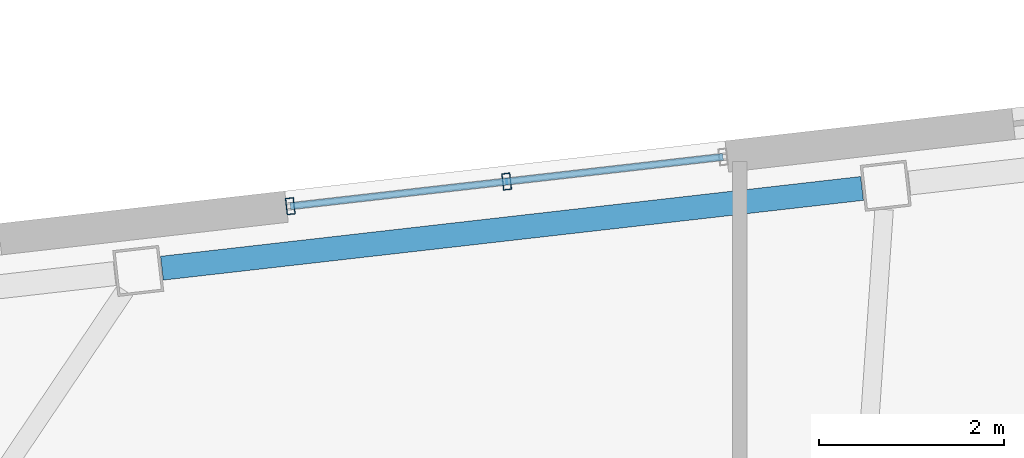
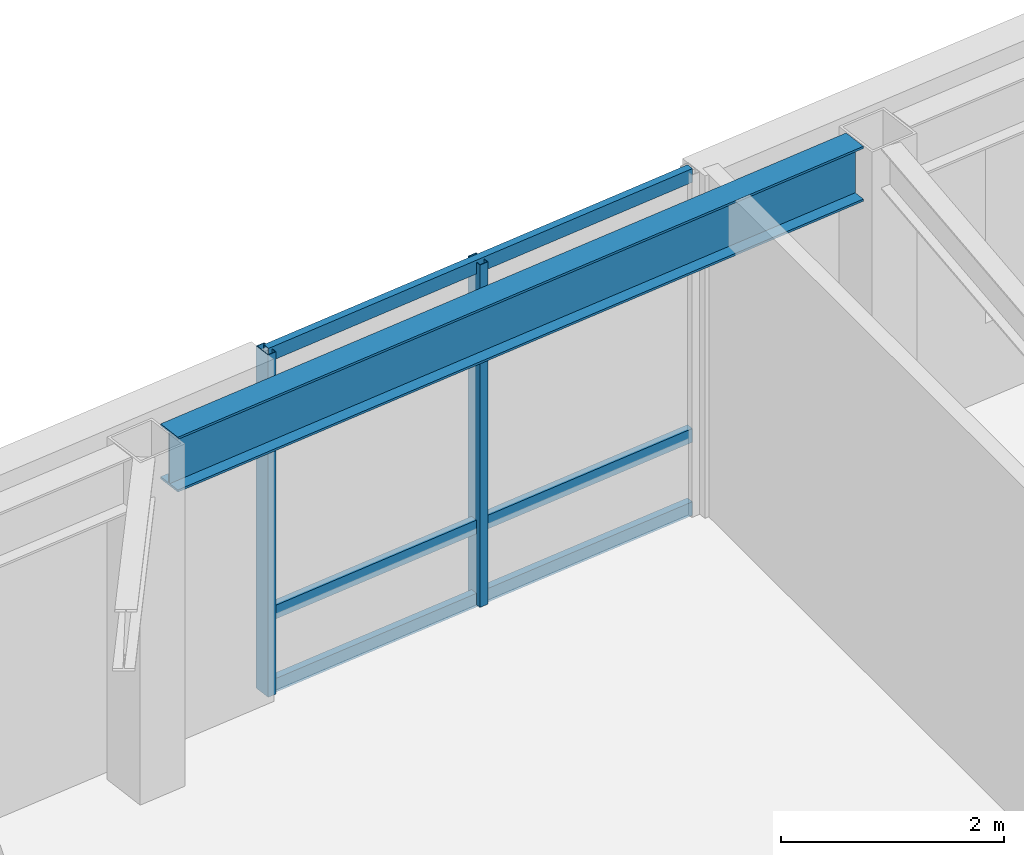
# One storey, part 10 of 21: 5 members, 1 beam, 1 element without a shape of its own.
"""IFC4 building model written with IfcOpenShell, lengths in metres."""

from ifc_helpers import new_model, si_unit, direction, frame, origin, origin_2d, place, context, subcontext, project, spatial, hollow_rectangle, i_section, extrude, material, layer, layer_set, material_profile, profile_set, type_object, element, aggregate, save


model = new_model("IFC4")

# Units and contexts
model_context = context("Model", 3, precision=1e-05, world=origin(), true_north=direction((0.0, 1.0)))
body_context = subcontext(model_context, "Body", "Model", "MODEL_VIEW")
ifc_project = project(units=[si_unit("LENGTHUNIT", "METRE"), si_unit("AREAUNIT", "SQUARE_METRE"), si_unit("VOLUMEUNIT", "CUBIC_METRE"), si_unit("PLANEANGLEUNIT", "RADIAN"), si_unit("MASSUNIT", "GRAM", prefix="KILO")], contexts=[model_context])

# Site, building, storey
site_placement = place(None, origin())
site = spatial("IfcSite", under=ifc_project, at=site_placement, CompositionType="ELEMENT")
building_placement = place(site_placement, origin())
building = spatial("IfcBuilding", under=site, at=building_placement, Name="Tavrogorsk Clinical Tower", CompositionType="ELEMENT")
storey_placement = place(building_placement, frame((0.0, 0.0, 247.0)))
storey = spatial("IfcBuildingStorey", under=building, at=storey_placement, Name="L57", CompositionType="ELEMENT", Elevation=247.0)

# Curtain wall, members
ifc_material_1 = material(Name="Anodised aluminium and triple IGU glazing", Category="aluminium")
ifc_layer = layer(ifc_material_1, 0.179931640625)
ifc_layer_set = layer_set([ifc_layer], Name="Anodised aluminium and triple IGU glazing")
curtain_wall_type = type_object("IfcCurtainWallType", Name="CW2_NorthSlot", PredefinedType="NOTDEFINED", material=ifc_layer_set)
curtain_wall_placement = place(storey_placement, origin())
curtain_wall = element("IfcCurtainWall", 1, at=curtain_wall_placement, inside=storey, type_object=curtain_wall_type, Name="L57 Curtain Wall CW-L57-N-SLOT-1", PredefinedType="NOTDEFINED")
ifc_material_2 = material(Name="Anodised aluminium alloy AW-6060", Category="aluminium")
ifc_material_profile_1 = material_profile(ifc_material_2, hollow_rectangle(XDim=0.090087890625, YDim=0.179931640625, WallThickness=0.00634765625, at=origin_2d()), Name="RHS-180x90x6.3")
ifc_profile_set_1 = profile_set([ifc_material_profile_1], Name="Anodised aluminium alloy AW-6060")
member_type_1 = type_object("IfcMemberType", Name="CwMullion_180x90", PredefinedType="MULLION", material=ifc_profile_set_1)
member_1_placement = place(storey_placement, frame((-13.1259765625, 25.158203125, 0.0), z_axis=(0.0, 0.0, 1.0), x_axis=(-0.993571855603, -0.11320321441, 0.0)))
member_1 = element("IfcMember", 2, at=member_1_placement, type_object=member_type_1, Name="CW-L57-N-SLOT-1 Mullion 2", PredefinedType="MULLION", context=body_context, shape_type="SweptSolid", body=[
    extrude(hollow_rectangle(XDim=0.090087890625, YDim=0.179931640625, WallThickness=0.00634765625, at=origin_2d()), origin(), (0.0, 0.0, 1.0), 3.739990234375),
])
member_2_placement = place(storey_placement, frame((-15.4697265625, 24.89111328125, 0.0), z_axis=(0.0, 0.0, 1.0), x_axis=(-0.993571855603, -0.11320321441, 0.0)))
member_2 = element("IfcMember", 3, at=member_2_placement, type_object=member_type_1, Name="CW-L57-N-SLOT-1 Mullion 3", PredefinedType="MULLION", context=body_context, shape_type="SweptSolid", body=[
    extrude(hollow_rectangle(XDim=0.090087890625, YDim=0.179931640625, WallThickness=0.00634765625, at=origin_2d()), origin(), (0.0, 0.0, 1.0), 3.739990234375),
])
ifc_material_3 = material(Name="Anodised aluminium alloy AW-6060", Category="aluminium")
ifc_material_profile_2 = material_profile(ifc_material_3, hollow_rectangle(XDim=0.074951171875, YDim=0.14990234375, WallThickness=0.0048828125, at=origin_2d()), Name="RHS-150x75x5")
ifc_profile_set_2 = profile_set([ifc_material_profile_2], Name="Anodised aluminium alloy AW-6060")
member_type_2 = type_object("IfcMemberType", Name="CwTransom_150x75", PredefinedType="USERDEFINED", material=ifc_profile_set_2)
member_3_placement = place(storey_placement, frame((-10.781982421875, 25.42529296875, 0.050048828125), z_axis=(-0.993569979218, -0.113219682023, 0.0), x_axis=(0.113219682023, -0.993569979218, 0.0)))
member_3 = element("IfcMember", 4, at=member_3_placement, type_object=member_type_2, Name="CW-L57-N-SLOT-1 Transom 1", ObjectType="TRANSOM", PredefinedType="USERDEFINED", context=body_context, shape_type="SweptSolid", body=[
    extrude(hollow_rectangle(XDim=0.074951171875, YDim=0.14990234375, WallThickness=0.0048828125, at=origin_2d()), origin(), (0.0, 0.0, 1.0), 4.718017578125),
])
member_4_placement = place(storey_placement, frame((-10.781982421875, 25.42529296875, 0.85009765625), z_axis=(-0.993569979218, -0.113219682023, 0.0), x_axis=(0.113219682023, -0.993569979218, 0.0)))
member_4 = element("IfcMember", 5, at=member_4_placement, type_object=member_type_2, Name="CW-L57-N-SLOT-1 Transom 2", ObjectType="TRANSOM", PredefinedType="USERDEFINED", context=body_context, shape_type="SweptSolid", body=[
    extrude(hollow_rectangle(XDim=0.074951171875, YDim=0.14990234375, WallThickness=0.0048828125, at=origin_2d()), origin(), (0.0, 0.0, 1.0), 4.718017578125),
])
member_5_placement = place(storey_placement, frame((-10.781982421875, 25.42529296875, 3.68994140625), z_axis=(-0.993569979218, -0.113219682023, 0.0), x_axis=(0.113219682023, -0.993569979218, 0.0)))
member_5 = element("IfcMember", 6, at=member_5_placement, type_object=member_type_2, Name="CW-L57-N-SLOT-1 Transom 3", ObjectType="TRANSOM", PredefinedType="USERDEFINED", context=body_context, shape_type="SweptSolid", body=[
    extrude(hollow_rectangle(XDim=0.074951171875, YDim=0.14990234375, WallThickness=0.0048828125, at=origin_2d()), origin(), (0.0, 0.0, 1.0), 4.718017578125),
])
aggregate(curtain_wall, [member_1, member_2, member_3, member_4, member_5])

# Beam
ifc_material_4 = material(Name="Structural steel S390", Category="steel")
ifc_material_profile_3 = material_profile(ifc_material_4, i_section(OverallWidth=0.260009765625, OverallDepth=0.60009765625, WebThickness=0.014892578125, FlangeThickness=0.02392578125, at=origin_2d()), Name="B-600x260x15x24")
ifc_profile_set_3 = profile_set([ifc_material_profile_3], Name="Structural steel S390")
beam_type = type_object("IfcBeamType", Name="SpandrelBeam_B600", PredefinedType="SPANDREL", material=ifc_profile_set_3)
beam_placement = place(storey_placement, frame((-9.2763671875, 25.08349609375, 3.43994140625), z_axis=(-0.993572099834, -0.113201070804, 0.0), x_axis=(0.113201070804, -0.993572099834, 0.0)))
element("IfcBeam", 7, at=beam_placement, inside=storey, type_object=beam_type, Name="L57 Perimeter Spandrel N5-N6", PredefinedType="SPANDREL", context=body_context, shape_type="SweptSolid", body=[
    extrude(i_section(OverallWidth=0.260009765625, OverallDepth=0.60009765625, WebThickness=0.014892578125, FlangeThickness=0.02392578125, at=origin_2d()), origin(), (0.0, 0.0, 1.0), 7.632568359375),
])

save(model, "model.ifc")
